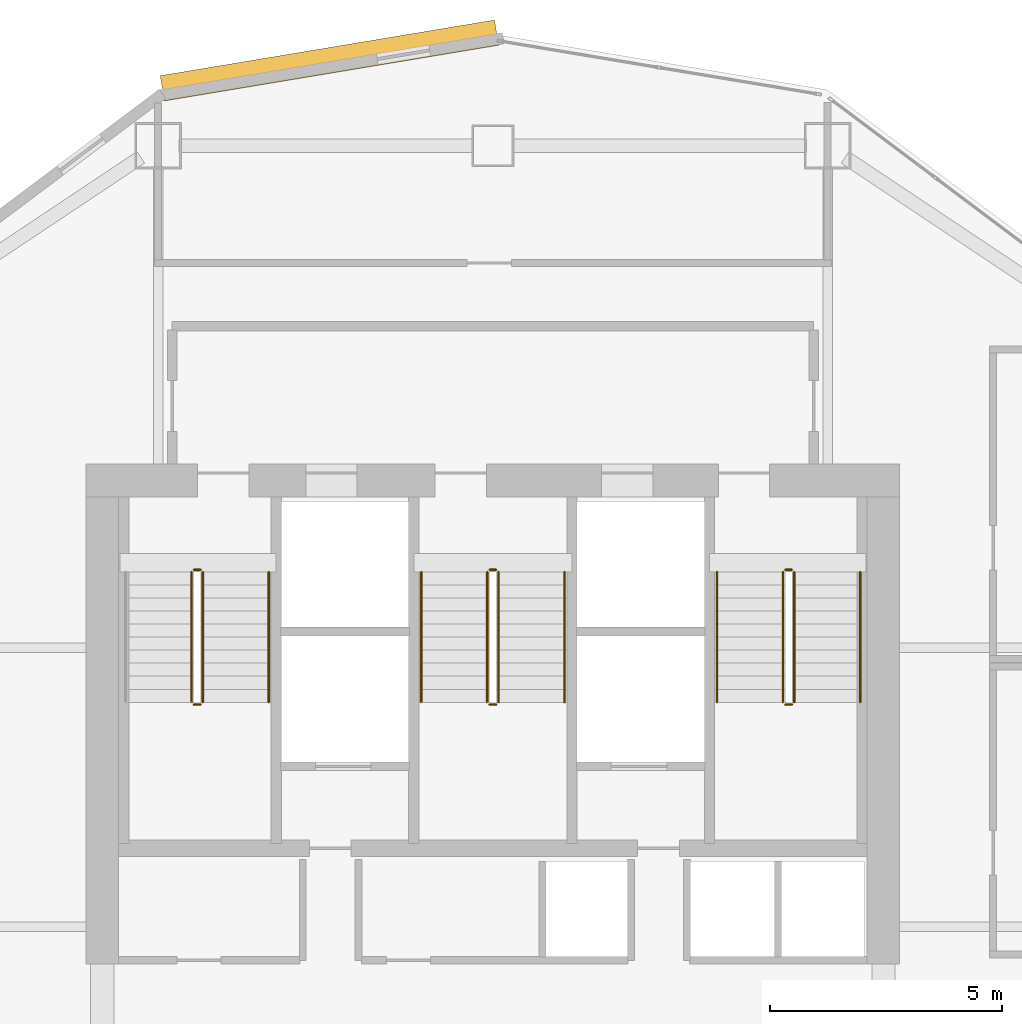
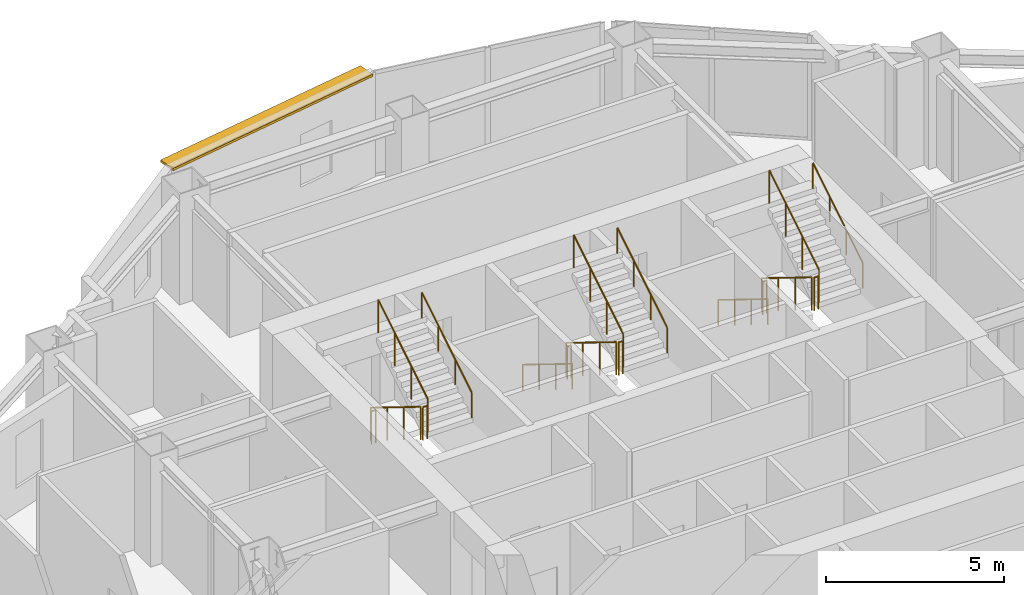
# One storey, part 14 of 14: 17 railings, 1 shading device.
"""IFC4 building model written with IfcOpenShell, lengths in metres."""

from ifc_helpers import new_model, si_unit, direction, frame, origin, origin_2d, place, context, subcontext, project, spatial, rectangle, circle, extrude, material, layer, layer_set, type_object, element, save


model = new_model("IFC4")

# Units and contexts
model_context = context("Model", 3, precision=1e-05, world=origin(), true_north=direction((0.0, 1.0)))
body_context = subcontext(model_context, "Body", "Model", "MODEL_VIEW")
ifc_project = project(units=[si_unit("LENGTHUNIT", "METRE"), si_unit("AREAUNIT", "SQUARE_METRE"), si_unit("VOLUMEUNIT", "CUBIC_METRE"), si_unit("PLANEANGLEUNIT", "RADIAN"), si_unit("MASSUNIT", "GRAM", prefix="KILO")], contexts=[model_context])

# Site, building, storey
site_placement = place(None, origin())
site = spatial("IfcSite", under=ifc_project, at=site_placement, CompositionType="ELEMENT")
building_placement = place(site_placement, origin())
building = spatial("IfcBuilding", under=site, at=building_placement, Name="Haolan Belvedere Tower", CompositionType="ELEMENT")
storey_placement = place(building_placement, frame((0.0, 0.0, 141.0)))
storey = spatial("IfcBuildingStorey", under=building, at=storey_placement, Name="L35", CompositionType="ELEMENT", Elevation=141.0)

# Railings
ifc_material_1 = material(Name="Brushed stainless steel 304", Category="steel")
railing_type_1 = type_object("IfcRailingType", Name="RL-STAIR-GRD-1150", PredefinedType="GUARDRAIL", material=ifc_material_1)
railing_1_placement = place(storey_placement, frame((31.919921875, 41.22998046875, 0.172607421875)))
element("IfcRailing", 1, at=railing_1_placement, inside=storey, type_object=railing_type_1, Name="L35 ST1 stair guard 1", PredefinedType="GUARDRAIL", context=body_context, shape_type="SweptSolid", body=[
    extrude(circle(Radius=0.02392578125, at=origin_2d()), frame((0.0, 0.0, 1.1259765625), z_axis=(0.0, -0.851089632645, 0.525020415988), x_axis=(1.0, 0.0, 0.0)), (0.0, 0.0, 1.0), 3.2900390625),
    extrude(circle(Radius=0.02099609375, at=origin_2d()), origin(), (0.0, 0.0, 1.0), 1.101806640625),
    extrude(circle(Radius=0.02099609375, at=origin_2d()), frame((0.0, -0.933349609375, 0.57568359375)), (0.0, 0.0, 1.0), 1.101806640625),
    extrude(circle(Radius=0.02099609375, at=origin_2d()), frame((0.0, -1.86669921875, 1.151611328125)), (0.0, 0.0, 1.0), 1.101806640625),
    extrude(circle(Radius=0.02099609375, at=origin_2d()), frame((0.0, -2.800048828125, 1.727294921875)), (0.0, 0.0, 1.0), 1.101806640625),
])
railing_2_placement = place(storey_placement, frame((31.969970703125, 38.3798828125, 1.89990234375)))
element("IfcRailing", 2, at=railing_2_placement, inside=storey, type_object=railing_type_1, Name="L35 ST1 stair guard 2", PredefinedType="GUARDRAIL", context=body_context, shape_type="SweptSolid", body=[
    extrude(circle(Radius=0.02392578125, at=origin_2d()), frame((0.0, 0.0, 1.1259765625), z_axis=(1.0, 0.0, 0.0), x_axis=(0.0, 1.0, 0.0)), (0.0, 0.0, 1.0), 0.14013671875),
    extrude(circle(Radius=0.02099609375, at=origin_2d()), origin(), (0.0, 0.0, 1.0), 1.101806640625),
    extrude(circle(Radius=0.02099609375, at=origin_2d()), frame((0.14013671875, 0.0, 0.0)), (0.0, 0.0, 1.0), 1.101806640625),
])
railing_3_placement = place(storey_placement, frame((32.159912109375, 38.429931640625, 2.07275390625)))
element("IfcRailing", 3, at=railing_3_placement, inside=storey, type_object=railing_type_1, Name="L35 ST1 stair guard 3", PredefinedType="GUARDRAIL", context=body_context, shape_type="SweptSolid", body=[
    extrude(circle(Radius=0.02392578125, at=origin_2d()), frame((0.0, 0.0, 1.1259765625), z_axis=(0.0, 0.851089632645, 0.525020415988), x_axis=(-1.0, 0.0, 0.0)), (0.0, 0.0, 1.0), 3.2900390625),
    extrude(circle(Radius=0.02099609375, at=origin_2d()), origin(), (0.0, 0.0, 1.0), 1.101806640625),
    extrude(circle(Radius=0.02099609375, at=origin_2d()), frame((0.0, 0.933349609375, 0.57568359375)), (0.0, 0.0, 1.0), 1.101806640625),
    extrude(circle(Radius=0.02099609375, at=origin_2d()), frame((0.0, 1.86669921875, 1.151611328125)), (0.0, 0.0, 1.0), 1.101806640625),
    extrude(circle(Radius=0.02099609375, at=origin_2d()), frame((0.0, 2.800048828125, 1.727294921875)), (0.0, 0.0, 1.0), 1.101806640625),
])
railing_4_placement = place(storey_placement, frame((31.969970703125, 41.280029296875, 0.0)))
element("IfcRailing", 4, at=railing_4_placement, inside=storey, type_object=railing_type_1, Name="L35 ST1 stair guard 4", PredefinedType="GUARDRAIL", context=body_context, shape_type="SweptSolid", body=[
    extrude(circle(Radius=0.02392578125, at=origin_2d()), frame((0.0, 0.0, 1.1259765625), z_axis=(1.0, 0.0, 0.0), x_axis=(0.0, 1.0, 0.0)), (0.0, 0.0, 1.0), 0.14013671875),
    extrude(circle(Radius=0.02099609375, at=origin_2d()), origin(), (0.0, 0.0, 1.0), 1.101806640625),
    extrude(circle(Radius=0.02099609375, at=origin_2d()), frame((0.14013671875, 0.0, 0.0)), (0.0, 0.0, 1.0), 1.101806640625),
])
railing_5_placement = place(storey_placement, frame((38.280029296875, 41.22998046875, 0.172607421875)))
element("IfcRailing", 5, at=railing_5_placement, inside=storey, type_object=railing_type_1, Name="L35 ST3 stair guard 1", PredefinedType="GUARDRAIL", context=body_context, shape_type="SweptSolid", body=[
    extrude(circle(Radius=0.02392578125, at=origin_2d()), frame((0.0, 0.0, 1.1259765625), z_axis=(0.0, -0.851089632645, 0.525020415988), x_axis=(1.0, 0.0, 0.0)), (0.0, 0.0, 1.0), 3.2900390625),
    extrude(circle(Radius=0.02099609375, at=origin_2d()), origin(), (0.0, 0.0, 1.0), 1.101806640625),
    extrude(circle(Radius=0.02099609375, at=origin_2d()), frame((0.0, -0.933349609375, 0.57568359375)), (0.0, 0.0, 1.0), 1.101806640625),
    extrude(circle(Radius=0.02099609375, at=origin_2d()), frame((0.0, -1.86669921875, 1.151611328125)), (0.0, 0.0, 1.0), 1.101806640625),
    extrude(circle(Radius=0.02099609375, at=origin_2d()), frame((0.0, -2.800048828125, 1.727294921875)), (0.0, 0.0, 1.0), 1.101806640625),
])
railing_6_placement = place(storey_placement, frame((38.330078125, 38.3798828125, 1.89990234375)))
element("IfcRailing", 6, at=railing_6_placement, inside=storey, type_object=railing_type_1, Name="L35 ST3 stair guard 2", PredefinedType="GUARDRAIL", context=body_context, shape_type="SweptSolid", body=[
    extrude(circle(Radius=0.02392578125, at=origin_2d()), frame((0.0, 0.0, 1.1259765625), z_axis=(1.0, 0.0, 0.0), x_axis=(0.0, 1.0, 0.0)), (0.0, 0.0, 1.0), 0.139892578125),
    extrude(circle(Radius=0.02099609375, at=origin_2d()), origin(), (0.0, 0.0, 1.0), 1.101806640625),
    extrude(circle(Radius=0.02099609375, at=origin_2d()), frame((0.139892578125, 0.0, 0.0)), (0.0, 0.0, 1.0), 1.101806640625),
])
railing_7_placement = place(storey_placement, frame((38.52001953125, 38.429931640625, 2.07275390625)))
element("IfcRailing", 7, at=railing_7_placement, inside=storey, type_object=railing_type_1, Name="L35 ST3 stair guard 3", PredefinedType="GUARDRAIL", context=body_context, shape_type="SweptSolid", body=[
    extrude(circle(Radius=0.02392578125, at=origin_2d()), frame((0.0, 0.0, 1.1259765625), z_axis=(0.0, 0.851089632645, 0.525020415988), x_axis=(-1.0, 0.0, 0.0)), (0.0, 0.0, 1.0), 3.2900390625),
    extrude(circle(Radius=0.02099609375, at=origin_2d()), origin(), (0.0, 0.0, 1.0), 1.101806640625),
    extrude(circle(Radius=0.02099609375, at=origin_2d()), frame((0.0, 0.933349609375, 0.57568359375)), (0.0, 0.0, 1.0), 1.101806640625),
    extrude(circle(Radius=0.02099609375, at=origin_2d()), frame((0.0, 1.86669921875, 1.151611328125)), (0.0, 0.0, 1.0), 1.101806640625),
    extrude(circle(Radius=0.02099609375, at=origin_2d()), frame((0.0, 2.800048828125, 1.727294921875)), (0.0, 0.0, 1.0), 1.101806640625),
])
railing_8_placement = place(storey_placement, frame((38.330078125, 41.280029296875, 0.0)))
element("IfcRailing", 8, at=railing_8_placement, inside=storey, type_object=railing_type_1, Name="L35 ST3 stair guard 4", PredefinedType="GUARDRAIL", context=body_context, shape_type="SweptSolid", body=[
    extrude(circle(Radius=0.02392578125, at=origin_2d()), frame((0.0, 0.0, 1.1259765625), z_axis=(1.0, 0.0, 0.0), x_axis=(0.0, 1.0, 0.0)), (0.0, 0.0, 1.0), 0.139892578125),
    extrude(circle(Radius=0.02099609375, at=origin_2d()), origin(), (0.0, 0.0, 1.0), 1.101806640625),
    extrude(circle(Radius=0.02099609375, at=origin_2d()), frame((0.139892578125, 0.0, 0.0)), (0.0, 0.0, 1.0), 1.101806640625),
])
railing_9_placement = place(storey_placement, frame((44.639892578125, 41.22998046875, 0.172607421875)))
element("IfcRailing", 9, at=railing_9_placement, inside=storey, type_object=railing_type_1, Name="L35 ST2 stair guard 1", PredefinedType="GUARDRAIL", context=body_context, shape_type="SweptSolid", body=[
    extrude(circle(Radius=0.02392578125, at=origin_2d()), frame((0.0, 0.0, 1.1259765625), z_axis=(0.0, -0.851089632645, 0.525020415988), x_axis=(1.0, 0.0, 0.0)), (0.0, 0.0, 1.0), 3.2900390625),
    extrude(circle(Radius=0.02099609375, at=origin_2d()), origin(), (0.0, 0.0, 1.0), 1.101806640625),
    extrude(circle(Radius=0.02099609375, at=origin_2d()), frame((0.0, -0.933349609375, 0.57568359375)), (0.0, 0.0, 1.0), 1.101806640625),
    extrude(circle(Radius=0.02099609375, at=origin_2d()), frame((0.0, -1.86669921875, 1.151611328125)), (0.0, 0.0, 1.0), 1.101806640625),
    extrude(circle(Radius=0.02099609375, at=origin_2d()), frame((0.0, -2.800048828125, 1.727294921875)), (0.0, 0.0, 1.0), 1.101806640625),
])
railing_10_placement = place(storey_placement, frame((44.68994140625, 38.3798828125, 1.89990234375)))
element("IfcRailing", 10, at=railing_10_placement, inside=storey, type_object=railing_type_1, Name="L35 ST2 stair guard 2", PredefinedType="GUARDRAIL", context=body_context, shape_type="SweptSolid", body=[
    extrude(circle(Radius=0.02392578125, at=origin_2d()), frame((0.0, 0.0, 1.1259765625), z_axis=(1.0, 0.0, 0.0), x_axis=(0.0, 1.0, 0.0)), (0.0, 0.0, 1.0), 0.14013671875),
    extrude(circle(Radius=0.02099609375, at=origin_2d()), origin(), (0.0, 0.0, 1.0), 1.101806640625),
    extrude(circle(Radius=0.02099609375, at=origin_2d()), frame((0.14013671875, 0.0, 0.0)), (0.0, 0.0, 1.0), 1.101806640625),
])
railing_11_placement = place(storey_placement, frame((44.8798828125, 38.429931640625, 2.07275390625)))
element("IfcRailing", 11, at=railing_11_placement, inside=storey, type_object=railing_type_1, Name="L35 ST2 stair guard 3", PredefinedType="GUARDRAIL", context=body_context, shape_type="SweptSolid", body=[
    extrude(circle(Radius=0.02392578125, at=origin_2d()), frame((0.0, 0.0, 1.1259765625), z_axis=(0.0, 0.851089632645, 0.525020415988), x_axis=(-1.0, 0.0, 0.0)), (0.0, 0.0, 1.0), 3.2900390625),
    extrude(circle(Radius=0.02099609375, at=origin_2d()), origin(), (0.0, 0.0, 1.0), 1.101806640625),
    extrude(circle(Radius=0.02099609375, at=origin_2d()), frame((0.0, 0.933349609375, 0.57568359375)), (0.0, 0.0, 1.0), 1.101806640625),
    extrude(circle(Radius=0.02099609375, at=origin_2d()), frame((0.0, 1.86669921875, 1.151611328125)), (0.0, 0.0, 1.0), 1.101806640625),
    extrude(circle(Radius=0.02099609375, at=origin_2d()), frame((0.0, 2.800048828125, 1.727294921875)), (0.0, 0.0, 1.0), 1.101806640625),
])
railing_12_placement = place(storey_placement, frame((44.68994140625, 41.280029296875, 0.0)))
element("IfcRailing", 12, at=railing_12_placement, inside=storey, type_object=railing_type_1, Name="L35 ST2 stair guard 4", PredefinedType="GUARDRAIL", context=body_context, shape_type="SweptSolid", body=[
    extrude(circle(Radius=0.02392578125, at=origin_2d()), frame((0.0, 0.0, 1.1259765625), z_axis=(1.0, 0.0, 0.0), x_axis=(0.0, 1.0, 0.0)), (0.0, 0.0, 1.0), 0.14013671875),
    extrude(circle(Radius=0.02099609375, at=origin_2d()), origin(), (0.0, 0.0, 1.0), 1.101806640625),
    extrude(circle(Radius=0.02099609375, at=origin_2d()), frame((0.14013671875, 0.0, 0.0)), (0.0, 0.0, 1.0), 1.101806640625),
])
railing_type_2 = type_object("IfcRailingType", Name="RL-STAIR-HND-900", PredefinedType="HANDRAIL", material=ifc_material_1)
railing_13_placement = place(storey_placement, frame((33.580078125, 38.429931640625, 2.07275390625)))
element("IfcRailing", 13, at=railing_13_placement, inside=storey, type_object=railing_type_2, Name="L35 ST1 stair handrail 2", PredefinedType="HANDRAIL", context=body_context, shape_type="SweptSolid", body=[
    extrude(circle(Radius=0.02392578125, at=origin_2d()), frame((0.0, 0.0, 0.8759765625), z_axis=(0.0, 0.851089632645, 0.525020415988), x_axis=(-1.0, 0.0, 0.0)), (0.0, 0.0, 1.0), 3.2900390625),
    extrude(circle(Radius=0.02099609375, at=origin_2d()), origin(), (0.0, 0.0, 1.0), 0.851806640625),
    extrude(circle(Radius=0.02099609375, at=origin_2d()), frame((0.0, 0.933349609375, 0.57568359375)), (0.0, 0.0, 1.0), 0.851806640625),
    extrude(circle(Radius=0.02099609375, at=origin_2d()), frame((0.0, 1.86669921875, 1.151611328125)), (0.0, 0.0, 1.0), 0.851806640625),
    extrude(circle(Radius=0.02099609375, at=origin_2d()), frame((0.0, 2.800048828125, 1.727294921875)), (0.0, 0.0, 1.0), 0.851806640625),
])
railing_14_placement = place(storey_placement, frame((36.860107421875, 41.22998046875, 0.172607421875)))
element("IfcRailing", 14, at=railing_14_placement, inside=storey, type_object=railing_type_2, Name="L35 ST3 stair handrail 1", PredefinedType="HANDRAIL", context=body_context, shape_type="SweptSolid", body=[
    extrude(circle(Radius=0.02392578125, at=origin_2d()), frame((0.0, 0.0, 0.8759765625), z_axis=(0.0, -0.851089632645, 0.525020415988), x_axis=(1.0, 0.0, 0.0)), (0.0, 0.0, 1.0), 3.2900390625),
    extrude(circle(Radius=0.02099609375, at=origin_2d()), origin(), (0.0, 0.0, 1.0), 0.851806640625),
    extrude(circle(Radius=0.02099609375, at=origin_2d()), frame((0.0, -0.933349609375, 0.57568359375)), (0.0, 0.0, 1.0), 0.851806640625),
    extrude(circle(Radius=0.02099609375, at=origin_2d()), frame((0.0, -1.86669921875, 1.151611328125)), (0.0, 0.0, 1.0), 0.851806640625),
    extrude(circle(Radius=0.02099609375, at=origin_2d()), frame((0.0, -2.800048828125, 1.727294921875)), (0.0, 0.0, 1.0), 0.851806640625),
])
railing_15_placement = place(storey_placement, frame((39.93994140625, 38.429931640625, 2.07275390625)))
element("IfcRailing", 15, at=railing_15_placement, inside=storey, type_object=railing_type_2, Name="L35 ST3 stair handrail 2", PredefinedType="HANDRAIL", context=body_context, shape_type="SweptSolid", body=[
    extrude(circle(Radius=0.02392578125, at=origin_2d()), frame((0.0, 0.0, 0.8759765625), z_axis=(0.0, 0.851089632645, 0.525020415988), x_axis=(-1.0, 0.0, 0.0)), (0.0, 0.0, 1.0), 3.2900390625),
    extrude(circle(Radius=0.02099609375, at=origin_2d()), origin(), (0.0, 0.0, 1.0), 0.851806640625),
    extrude(circle(Radius=0.02099609375, at=origin_2d()), frame((0.0, 0.933349609375, 0.57568359375)), (0.0, 0.0, 1.0), 0.851806640625),
    extrude(circle(Radius=0.02099609375, at=origin_2d()), frame((0.0, 1.86669921875, 1.151611328125)), (0.0, 0.0, 1.0), 0.851806640625),
    extrude(circle(Radius=0.02099609375, at=origin_2d()), frame((0.0, 2.800048828125, 1.727294921875)), (0.0, 0.0, 1.0), 0.851806640625),
])
railing_16_placement = place(storey_placement, frame((43.219970703125, 41.22998046875, 0.172607421875)))
element("IfcRailing", 16, at=railing_16_placement, inside=storey, type_object=railing_type_2, Name="L35 ST2 stair handrail 1", PredefinedType="HANDRAIL", context=body_context, shape_type="SweptSolid", body=[
    extrude(circle(Radius=0.02392578125, at=origin_2d()), frame((0.0, 0.0, 0.8759765625), z_axis=(0.0, -0.851089632645, 0.525020415988), x_axis=(1.0, 0.0, 0.0)), (0.0, 0.0, 1.0), 3.2900390625),
    extrude(circle(Radius=0.02099609375, at=origin_2d()), origin(), (0.0, 0.0, 1.0), 0.851806640625),
    extrude(circle(Radius=0.02099609375, at=origin_2d()), frame((0.0, -0.933349609375, 0.57568359375)), (0.0, 0.0, 1.0), 0.851806640625),
    extrude(circle(Radius=0.02099609375, at=origin_2d()), frame((0.0, -1.86669921875, 1.151611328125)), (0.0, 0.0, 1.0), 0.851806640625),
    extrude(circle(Radius=0.02099609375, at=origin_2d()), frame((0.0, -2.800048828125, 1.727294921875)), (0.0, 0.0, 1.0), 0.851806640625),
])
railing_17_placement = place(storey_placement, frame((46.300048828125, 38.429931640625, 2.07275390625)))
element("IfcRailing", 17, at=railing_17_placement, inside=storey, type_object=railing_type_2, Name="L35 ST2 stair handrail 2", PredefinedType="HANDRAIL", context=body_context, shape_type="SweptSolid", body=[
    extrude(circle(Radius=0.02392578125, at=origin_2d()), frame((0.0, 0.0, 0.8759765625), z_axis=(0.0, 0.851089632645, 0.525020415988), x_axis=(-1.0, 0.0, 0.0)), (0.0, 0.0, 1.0), 3.2900390625),
    extrude(circle(Radius=0.02099609375, at=origin_2d()), origin(), (0.0, 0.0, 1.0), 0.851806640625),
    extrude(circle(Radius=0.02099609375, at=origin_2d()), frame((0.0, 0.933349609375, 0.57568359375)), (0.0, 0.0, 1.0), 0.851806640625),
    extrude(circle(Radius=0.02099609375, at=origin_2d()), frame((0.0, 1.86669921875, 1.151611328125)), (0.0, 0.0, 1.0), 0.851806640625),
    extrude(circle(Radius=0.02099609375, at=origin_2d()), frame((0.0, 2.800048828125, 1.727294921875)), (0.0, 0.0, 1.0), 0.851806640625),
])

# Shading device
ifc_material_2 = material(Name="Anodised champagne-silver aluminium 6063-T6", Category="aluminium")
ifc_layer = layer(ifc_material_2, 0.080078125, Name="Anodised champagne-silver aluminium 6063-T6")
ifc_layer_set = layer_set([ifc_layer], Name="Anodised champagne-silver aluminium 6063-T6")
shading_device_type = type_object("IfcShadingDeviceType", Name="SHD-SUN-550", PredefinedType="USERDEFINED", material=ifc_layer_set)
shading_device_placement = place(storey_placement, frame((34.885009765625, 52.234375, 3.5), z_axis=(0.0, 0.0, 1.0), x_axis=(-0.986394848329, -0.164393440227, 0.0)))
element("IfcShadingDevice", 18, at=shading_device_placement, inside=storey, type_object=shading_device_type, Name="L35 pale-metal horizontal SUNSHADE band 28.1", ObjectType="SUNSHADE", PredefinedType="USERDEFINED", context=body_context, shape_type="SweptSolid", body=[
    extrude(rectangle(XDim=7.2900390625, YDim=0.550048828125, at=origin_2d()), origin(), (0.0, 0.0, 1.0), 0.080078125),
])

save(model, "model.ifc")
